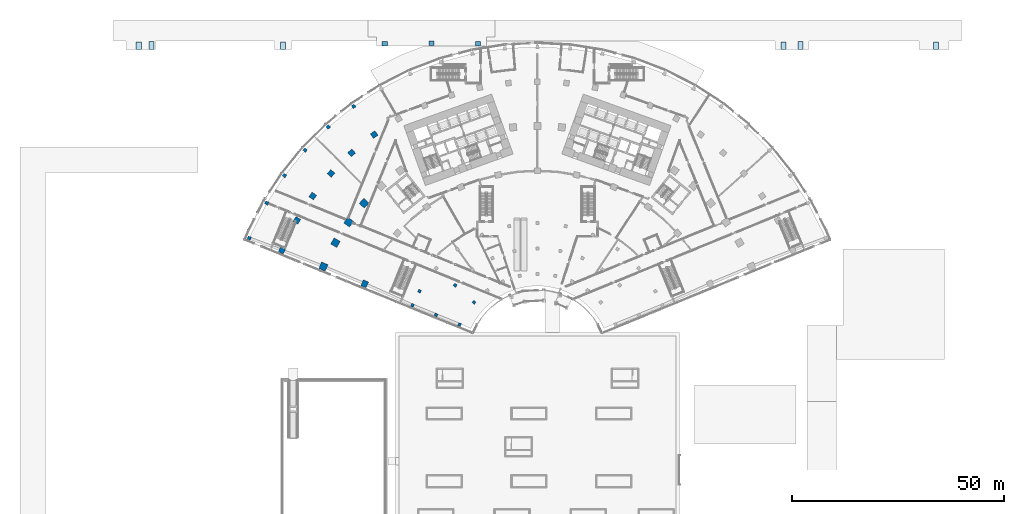
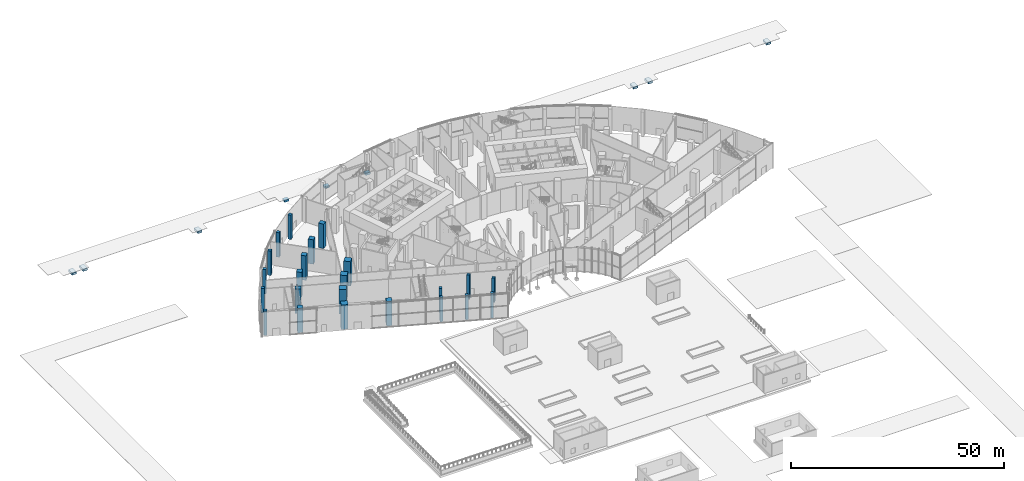
# One storey, part 2 of 60: 23 columns, 9 footings.
"""IFC4 building model written with IfcOpenShell, lengths in metres."""

from ifc_helpers import new_model, si_unit, direction, frame, origin, origin_2d, place, context, subcontext, project, spatial, polyline, rectangle, outline, extrude, material, layer, layer_set, material_profile, profile_set, type_object, element, save


model = new_model("IFC4")

# Units and contexts
model_context = context("Model", 3, precision=1e-05, world=origin(), true_north=direction((0.0, 1.0)))
body_context = subcontext(model_context, "Body", "Model", "MODEL_VIEW")
ifc_project = project(units=[si_unit("LENGTHUNIT", "METRE"), si_unit("AREAUNIT", "SQUARE_METRE"), si_unit("VOLUMEUNIT", "CUBIC_METRE"), si_unit("PLANEANGLEUNIT", "RADIAN"), si_unit("MASSUNIT", "GRAM", prefix="KILO")], contexts=[model_context])

# Site, building, storey
site_placement = place(None, origin())
site = spatial("IfcSite", under=ifc_project, at=site_placement, CompositionType="ELEMENT")
building_placement = place(site_placement, origin())
building = spatial("IfcBuilding", under=site, at=building_placement, Name="Stone Belt Terrace Tower", CompositionType="ELEMENT")
storey_placement = place(building_placement, origin())
storey = spatial("IfcBuildingStorey", under=building, at=storey_placement, Name="L00", CompositionType="ELEMENT", Elevation=0.0)

# Footings
ifc_material_1 = material(Name="Concrete B30", Category="concrete")
ifc_layer = layer(ifc_material_1, 0.60009765625)
ifc_layer_set = layer_set([ifc_layer], Name="Site pad footing 1200")
footing_type = type_object("IfcFootingType", Name="Site pad footing 1200", PredefinedType="PAD_FOOTING", material=ifc_layer_set)
footing_1_placement = place(storey_placement, frame((0.0, 0.0, -0.699951171875)))
element("IfcFooting", 1, at=footing_1_placement, inside=storey, type_object=footing_type, Name="Frontage paving pad footing", PredefinedType="PAD_FOOTING", context=body_context, shape_type="SweptSolid", body=[
    extrude(outline(polyline([(-94.60009765625, 73.0), (-93.39990234375, 73.0), (-93.39990234375, 74.800048828125), (-94.60009765625, 74.800048828125), (-94.60009765625, 73.0)])), origin(), (0.0, 0.0, 1.0), 0.599853515625),
])
footing_2_placement = place(storey_placement, frame((0.0, 0.0, -0.699951171875)))
element("IfcFooting", 2, at=footing_2_placement, inside=storey, type_object=footing_type, Name="Frontage paving pad footing", PredefinedType="PAD_FOOTING", context=body_context, shape_type="SweptSolid", body=[
    extrude(outline(polyline([(93.39990234375, 73.0), (94.60009765625, 73.0), (94.60009765625, 74.800048828125), (93.39990234375, 74.800048828125), (93.39990234375, 73.0)])), origin(), (0.0, 0.0, 1.0), 0.599853515625),
])
footing_3_placement = place(storey_placement, frame((0.0, 0.0, -0.699951171875)))
element("IfcFooting", 3, at=footing_3_placement, inside=storey, type_object=footing_type, Name="Frontage paving pad footing", PredefinedType="PAD_FOOTING", context=body_context, shape_type="SweptSolid", body=[
    extrude(outline(polyline([(-91.60009765625, 73.10009765625), (-90.39990234375, 73.10009765625), (-90.39990234375, 74.89990234375), (-91.60009765625, 74.89990234375), (-91.60009765625, 73.10009765625)])), origin(), (0.0, 0.0, 1.0), 0.599853515625),
])
footing_4_placement = place(storey_placement, frame((0.0, 0.0, -0.699951171875)))
element("IfcFooting", 4, at=footing_4_placement, inside=storey, type_object=footing_type, Name="Frontage paving pad footing", PredefinedType="PAD_FOOTING", context=body_context, shape_type="SweptSolid", body=[
    extrude(outline(polyline([(-60.60009765625, 73.0), (-59.39990234375, 73.0), (-59.39990234375, 74.800048828125), (-60.60009765625, 74.800048828125), (-60.60009765625, 73.0)])), origin(), (0.0, 0.0, 1.0), 0.599853515625),
])
footing_5_placement = place(storey_placement, frame((0.0, 0.0, -0.699951171875)))
element("IfcFooting", 5, at=footing_5_placement, inside=storey, type_object=footing_type, Name="Frontage paving pad footing", PredefinedType="PAD_FOOTING", context=body_context, shape_type="SweptSolid", body=[
    extrude(outline(polyline([(57.39990234375, 73.0), (58.60009765625, 73.0), (58.60009765625, 74.800048828125), (57.39990234375, 74.800048828125), (57.39990234375, 73.0)])), origin(), (0.0, 0.0, 1.0), 0.599853515625),
])
footing_6_placement = place(storey_placement, frame((0.0, 0.0, -0.699951171875)))
element("IfcFooting", 6, at=footing_6_placement, inside=storey, type_object=footing_type, Name="Frontage paving pad footing", PredefinedType="PAD_FOOTING", context=body_context, shape_type="SweptSolid", body=[
    extrude(outline(polyline([(61.39990234375, 73.10009765625), (62.60009765625, 73.10009765625), (62.60009765625, 74.89990234375), (61.39990234375, 74.89990234375), (61.39990234375, 73.10009765625)])), origin(), (0.0, 0.0, 1.0), 0.599853515625),
])
footing_7_placement = place(storey_placement, frame((0.0, 0.0, -0.699951171875)))
element("IfcFooting", 7, at=footing_7_placement, inside=storey, type_object=footing_type, Name="Frontage paving pad footing", PredefinedType="PAD_FOOTING", context=body_context, shape_type="SweptSolid", body=[
    extrude(outline(polyline([(-36.60009765625, 73.89990234375), (-35.39990234375, 73.89990234375), (-35.39990234375, 74.89990234375), (-36.60009765625, 74.89990234375), (-36.60009765625, 73.89990234375)])), origin(), (0.0, 0.0, 1.0), 0.599853515625),
])
footing_8_placement = place(storey_placement, frame((0.0, 0.0, -0.699951171875)))
element("IfcFooting", 8, at=footing_8_placement, inside=storey, type_object=footing_type, Name="Frontage paving pad footing", PredefinedType="PAD_FOOTING", context=body_context, shape_type="SweptSolid", body=[
    extrude(outline(polyline([(-14.60009765625, 73.89990234375), (-13.39990234375, 73.89990234375), (-13.39990234375, 74.89990234375), (-14.60009765625, 74.89990234375), (-14.60009765625, 73.89990234375)])), origin(), (0.0, 0.0, 1.0), 0.599853515625),
])
footing_9_placement = place(storey_placement, frame((0.0, 0.0, -0.699951171875)))
element("IfcFooting", 9, at=footing_9_placement, inside=storey, type_object=footing_type, Name="Frontage paving pad footing", PredefinedType="PAD_FOOTING", context=body_context, shape_type="SweptSolid", body=[
    extrude(outline(polyline([(-25.60009765625, 74.0), (-24.39990234375, 74.0), (-24.39990234375, 75.0), (-25.60009765625, 75.0), (-25.60009765625, 74.0)])), origin(), (0.0, 0.0, 1.0), 0.599853515625),
])

# Columns
ifc_material_2 = material(Name="Concrete B80", Category="concrete")
ifc_material_profile_1 = material_profile(ifc_material_2, rectangle(XDim=1.300048828125, YDim=1.300048828125, at=origin_2d()), Name="RC 1300x1300")
ifc_profile_set_1 = profile_set([ifc_material_profile_1], Name="Concrete B80")
column_type_1 = type_object("IfcColumnType", Name="Column RC 1300x1300 B80", PredefinedType="COLUMN", material=ifc_profile_set_1)
for number, where, z_axis, x_axis, name in (
    (10, (-60.24169921875, 25.68505859375, 0.0), (0.0, 0.0, 1.0), (0.392203865004, 0.919878322538, 0.0), "Column L00 RA"),
    (11, (-56.715087890625, 32.744384765625, 0.0), (0.0, 0.0, 1.0), (0.5, 0.866025403784, 0.0), "Column L00 R12"),
    (12, (-52.981689453125, 38.493408203125, 0.0), (0.0, 0.0, 1.0), (0.587785252292, 0.809016994375, 0.0), "Column L00 R13"),
    (13, (-48.667724609375, 43.820556640625, 0.0), (0.0, 0.0, 1.0), (0.669130606359, 0.743144825477, 0.0), "Column L00 R14"),
    (14, (-43.820556640625, 48.667724609375, 0.0), (0.0, 0.0, 1.0), (0.743144825477, 0.669130606359, 0.0), "Column L00 R15"),
    (15, (-38.493408203125, 52.981689453125, 0.0), (0.0, 0.0, 1.0), (0.809016994375, 0.587785252292, 0.0), "Column L00 R16"),
):
    element("IfcColumn", number, at=place(storey_placement, frame(where, z_axis=z_axis, x_axis=x_axis)), inside=storey, type_object=column_type_1, Name=name, PredefinedType="COLUMN", context=body_context, shape_type="SweptSolid", body=[
        extrude(rectangle(XDim=1.300048828125, YDim=1.300048828125, at=origin_2d()), origin(), (0.0, 0.0, 1.0), 7.0),
    ])
ifc_material_profile_2 = material_profile(ifc_material_2, rectangle(XDim=1.5, YDim=1.35009765625, at=origin_2d()), Name="RC 1500x1350")
ifc_profile_set_2 = profile_set([ifc_material_profile_2], Name="Concrete B80")
column_type_2 = type_object("IfcColumnType", Name="Column RC 1500x1350 B80", PredefinedType="COLUMN", material=ifc_profile_set_2)
column_placement = place(storey_placement, frame((-40.727294921875, 17.794677734375, 0.0), z_axis=(0.0, 0.0, 1.0), x_axis=(0.40037622141, 0.916350850564, 0.0)))
element("IfcColumn", 16, at=column_placement, inside=storey, type_object=column_type_2, Name="Column L00 PA", PredefinedType="COLUMN", context=body_context, shape_type="SweptSolid", body=[
    extrude(rectangle(XDim=1.5, YDim=1.35009765625, at=origin_2d()), origin(), (0.0, 0.0, 1.0), 7.0),
])
ifc_material_profile_3 = material_profile(ifc_material_2, rectangle(XDim=1.64990234375, YDim=1.64990234375, at=origin_2d()), Name="RC 1650x1650")
ifc_profile_set_3 = profile_set([ifc_material_profile_3], Name="Concrete B80")
column_type_3 = type_object("IfcColumnType", Name="Column RC 1650x1650 B80", PredefinedType="COLUMN", material=ifc_profile_set_3)
for number, where, z_axis, x_axis, name in (
    (17, (-50.466064453125, 21.867431640625, 0.0), (0.0, 0.0, 1.0), (0.397588335471, 0.917563902678, 0.0), "Column L00 QA"),
    (18, (-47.63134765625, 27.5, 0.0), (0.0, 0.0, 1.0), (0.5, 0.866025403784, 0.0), "Column L00 Q12"),
    (19, (-44.495849609375, 32.328125, 0.0), (0.0, 0.0, 1.0), (0.587785252292, 0.809016994375, 0.0), "Column L00 Q13"),
    (20, (-40.873046875, 36.80224609375, 0.0), (0.0, 0.0, 1.0), (0.669130606359, 0.743144825477, 0.0), "Column L00 Q14"),
):
    element("IfcColumn", number, at=place(storey_placement, frame(where, z_axis=z_axis, x_axis=x_axis)), inside=storey, type_object=column_type_3, Name=name, PredefinedType="COLUMN", context=body_context, shape_type="SweptSolid", body=[
        extrude(rectangle(XDim=1.64990234375, YDim=1.64990234375, at=origin_2d()), origin(), (0.0, 0.0, 1.0), 7.0),
    ])
ifc_material_3 = material(Name="Concrete B60", Category="concrete")
ifc_material_profile_4 = material_profile(ifc_material_3, rectangle(XDim=0.699951171875, YDim=0.699951171875, at=origin_2d()), Name="RC 700x700")
ifc_profile_set_4 = profile_set([ifc_material_profile_4], Name="Concrete B60")
column_type_4 = type_object("IfcColumnType", Name="Column RC 700x700 B60", PredefinedType="COLUMN", material=ifc_profile_set_4)
for number, where, z_axis, x_axis, name in (
    (21, (-18.3544921875, 8.19287109375, 0.0), (0.0, 0.0, 1.0), (0.40759905238, 0.913161000316, 0.0), "Column L00 MA"),
    (22, (-14.937255859375, 13.449462890625, 0.0), (0.0, 0.0, 1.0), (0.669130606359, 0.743144825477, 0.0), "Column L00 M14"),
    (23, (-23.908203125, 10.468994140625, 0.0), (0.0, 0.0, 1.0), (0.401114983453, 0.91602771249, 0.0), "Column L00 NA"),
    (24, (-19.39599609375, 17.46435546875, 0.0), (0.0, 0.0, 1.0), (0.669130606359, 0.743144825477, 0.0), "Column L00 N14"),
    (25, (-29.46142578125, 12.7451171875, 0.0), (0.0, 0.0, 1.0), (0.39704377212, 0.917799674777, 0.0), "Column L00 OA"),
    (26, (-27.79931640625, 16.050048828125, 0.0), (0.0, 0.0, 1.0), (0.5, 0.866025403784, 0.0), "Column L00 O12"),
):
    element("IfcColumn", number, at=place(storey_placement, frame(where, z_axis=z_axis, x_axis=x_axis)), inside=storey, type_object=column_type_4, Name=name, PredefinedType="COLUMN", context=body_context, shape_type="SweptSolid", body=[
        extrude(rectangle(XDim=0.699951171875, YDim=0.699951171875, at=origin_2d()), origin(), (0.0, 0.0, 1.0), 7.0),
    ])
ifc_material_profile_5 = material_profile(ifc_material_3, rectangle(XDim=0.800048828125, YDim=0.800048828125, at=origin_2d()), Name="RC 800x800")
ifc_profile_set_5 = profile_set([ifc_material_profile_5], Name="Concrete B60")
column_type_5 = type_object("IfcColumnType", Name="Column RC 800x800 B60", PredefinedType="COLUMN", material=ifc_profile_set_5)
for number, where, z_axis, x_axis, name in (
    (27, (-67.96337890625, 28.57958984375, 0.0), (0.0, 0.0, 1.0), (0.387636254736, 0.921812418019, 0.0), "Column L00 SA"),
    (28, (-63.85009765625, 36.864013671875, 0.0), (0.0, 0.0, 1.0), (0.5, 0.866025403784, 0.0), "Column L00 S12"),
    (29, (-59.647216796875, 43.336181640625, 0.0), (0.0, 0.0, 1.0), (0.587785252292, 0.809016994375, 0.0), "Column L00 S13"),
    (30, (-54.79052734375, 49.33349609375, 0.0), (0.0, 0.0, 1.0), (0.669130606359, 0.743144825477, 0.0), "Column L00 S14"),
    (31, (-49.33349609375, 54.79052734375, 0.0), (0.0, 0.0, 1.0), (0.743144825477, 0.669130606359, 0.0), "Column L00 S15"),
    (32, (-43.336181640625, 59.647216796875, 0.0), (0.0, 0.0, 1.0), (0.809016994375, 0.587785252292, 0.0), "Column L00 S16"),
):
    element("IfcColumn", number, at=place(storey_placement, frame(where, z_axis=z_axis, x_axis=x_axis)), inside=storey, type_object=column_type_5, Name=name, PredefinedType="COLUMN", context=body_context, shape_type="SweptSolid", body=[
        extrude(rectangle(XDim=0.800048828125, YDim=0.800048828125, at=origin_2d()), origin(), (0.0, 0.0, 1.0), 7.0),
    ])

save(model, "model.ifc")
